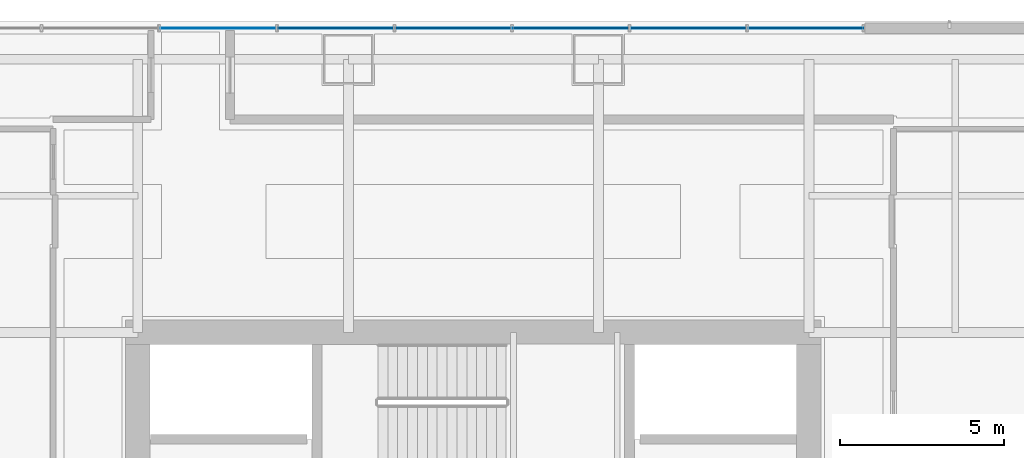
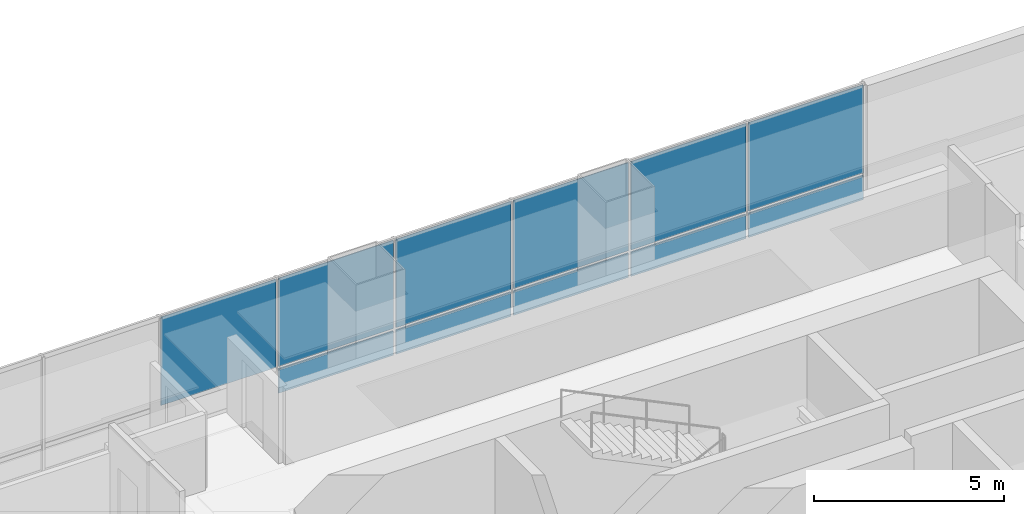
# One storey, part 26 of 45: 11 plates, 1 element without a shape of its own.
"""IFC4 building model written with IfcOpenShell, lengths in metres."""

from ifc_helpers import new_model, si_unit, direction, frame, origin, origin_2d, place, context, subcontext, project, spatial, rectangle, extrude, material, layer, layer_set, type_object, element, aggregate, save


model = new_model("IFC4")

# Units and contexts
model_context = context("Model", 3, precision=1e-05, world=origin(), true_north=direction((0.0, 1.0)))
body_context = subcontext(model_context, "Body", "Model", "MODEL_VIEW")
ifc_project = project(units=[si_unit("LENGTHUNIT", "METRE"), si_unit("AREAUNIT", "SQUARE_METRE"), si_unit("VOLUMEUNIT", "CUBIC_METRE"), si_unit("PLANEANGLEUNIT", "RADIAN"), si_unit("MASSUNIT", "GRAM", prefix="KILO")], contexts=[model_context])

# Site, building, storey
site_placement = place(None, origin())
site = spatial("IfcSite", under=ifc_project, at=site_placement, CompositionType="ELEMENT")
building_placement = place(site_placement, origin())
building = spatial("IfcBuilding", under=site, at=building_placement, Name="Punatoya Terracotta Tower", CompositionType="ELEMENT")
storey_placement = place(building_placement, frame((0.0, 0.0, 56.550048828125)))
storey = spatial("IfcBuildingStorey", under=building, at=storey_placement, Name="L12", CompositionType="ELEMENT", Elevation=56.550048828125)

# Curtain wall, plates
ifc_material_1 = material(Name="Aluminium 6063-T6 + Double Low-E Glass", Category="aluminium")
curtain_wall_type = type_object("IfcCurtainWallType", Name="CW-M1", PredefinedType="NOTDEFINED", material=ifc_material_1)
curtain_wall_placement = place(storey_placement, origin())
curtain_wall = element("IfcCurtainWall", 1, at=curtain_wall_placement, inside=storey, type_object=curtain_wall_type, Name="L12 Curtain Wall CW-L12-N09-1", PredefinedType="NOTDEFINED")
ifc_material_2 = material(Name="Double Low-E Clear Vision Glass", Category="glass")
ifc_layer_1 = layer(ifc_material_2, 0.028076171875)
ifc_layer_set_1 = layer_set([ifc_layer_1], Name="Double Low-E Clear Vision Glass")
plate_type_1 = type_object("IfcPlateType", Name="PLT-GLZ-28", PredefinedType="CURTAIN_PANEL", material=ifc_layer_set_1)
plate_1_placement = place(storey_placement, frame((10.112548828125, 18.449951171875, 0.89013671875), z_axis=(0.0, 0.0, 1.0), x_axis=(-1.0, 0.0, 0.0)))
plate_1 = element("IfcPlate", 2, at=plate_1_placement, type_object=plate_type_1, Name="CW-L12-N09-1 Vision Glass Panel 1", PredefinedType="CURTAIN_PANEL", context=body_context, shape_type="SweptSolid", body=[
    extrude(rectangle(XDim=3.489990234375, YDim=0.028076171875, at=origin_2d()), origin(), (0.0, 0.0, 1.0), 2.840087890625),
])
plate_2_placement = place(storey_placement, frame((6.53759765625, 18.449951171875, 0.89013671875), z_axis=(0.0, 0.0, 1.0), x_axis=(-1.0, 0.0, 0.0)))
plate_2 = element("IfcPlate", 3, at=plate_2_placement, type_object=plate_type_1, Name="CW-L12-N09-1 Vision Glass Panel 2", PredefinedType="CURTAIN_PANEL", context=body_context, shape_type="SweptSolid", body=[
    extrude(rectangle(XDim=3.489990234375, YDim=0.028076171875, at=origin_2d()), origin(), (0.0, 0.0, 1.0), 2.840087890625),
])
plate_3_placement = place(storey_placement, frame((2.96240234375, 18.449951171875, 0.89013671875), z_axis=(0.0, 0.0, 1.0), x_axis=(-1.0, 0.0, 0.0)))
plate_3 = element("IfcPlate", 4, at=plate_3_placement, type_object=plate_type_1, Name="CW-L12-N09-1 Vision Glass Panel 3", PredefinedType="CURTAIN_PANEL", context=body_context, shape_type="SweptSolid", body=[
    extrude(rectangle(XDim=3.489990234375, YDim=0.028076171875, at=origin_2d()), origin(), (0.0, 0.0, 1.0), 2.840087890625),
])
plate_4_placement = place(storey_placement, frame((-0.612548828125, 18.449951171875, 0.89013671875), z_axis=(0.0, 0.0, 1.0), x_axis=(-1.0, 0.0, 0.0)))
plate_4 = element("IfcPlate", 5, at=plate_4_placement, type_object=plate_type_1, Name="CW-L12-N09-1 Vision Glass Panel 4", PredefinedType="CURTAIN_PANEL", context=body_context, shape_type="SweptSolid", body=[
    extrude(rectangle(XDim=3.489990234375, YDim=0.028076171875, at=origin_2d()), origin(), (0.0, 0.0, 1.0), 2.840087890625),
])
plate_5_placement = place(storey_placement, frame((-4.1875, 18.449951171875, 0.89013671875), z_axis=(0.0, 0.0, 1.0), x_axis=(-1.0, 0.0, 0.0)))
plate_5 = element("IfcPlate", 6, at=plate_5_placement, type_object=plate_type_1, Name="CW-L12-N09-1 Vision Glass Panel 5", PredefinedType="CURTAIN_PANEL", context=body_context, shape_type="SweptSolid", body=[
    extrude(rectangle(XDim=3.489990234375, YDim=0.028076171875, at=origin_2d()), origin(), (0.0, 0.0, 1.0), 2.840087890625),
])
plate_6_placement = place(storey_placement, frame((-7.762451171875, 18.449951171875, 0.89013671875), z_axis=(0.0, 0.0, 1.0), x_axis=(-1.0, 0.0, 0.0)))
plate_6 = element("IfcPlate", 7, at=plate_6_placement, type_object=plate_type_1, Name="CW-L12-N09-1 Vision Glass Panel 6", PredefinedType="CURTAIN_PANEL", context=body_context, shape_type="SweptSolid", body=[
    extrude(rectangle(XDim=3.489990234375, YDim=0.028076171875, at=origin_2d()), origin(), (0.0, 0.0, 1.0), 2.840087890625),
])
ifc_material_3 = material(Name="Insulated Terracotta-Backed Spandrel Panel", Category="masonry")
ifc_layer_2 = layer(ifc_material_3, 0.044921875)
ifc_layer_set_2 = layer_set([ifc_layer_2], Name="Insulated Terracotta-Backed Spandrel Panel")
plate_type_2 = type_object("IfcPlateType", Name="PLT-SPN-45", PredefinedType="CURTAIN_PANEL", material=ifc_layer_set_2)
plate_7_placement = place(storey_placement, frame((10.112548828125, 18.449951171875, 0.0400390625), z_axis=(0.0, 0.0, 1.0), x_axis=(-1.0, 0.0, 0.0)))
plate_7 = element("IfcPlate", 8, at=plate_7_placement, type_object=plate_type_2, Name="CW-L12-N09-1 Terracotta Spandrel Panel 1", PredefinedType="CURTAIN_PANEL", context=body_context, shape_type="SweptSolid", body=[
    extrude(rectangle(XDim=3.489990234375, YDim=0.044921875, at=origin_2d()), origin(), (0.0, 0.0, 1.0), 0.77490234375),
])
plate_8_placement = place(storey_placement, frame((6.53759765625, 18.449951171875, 0.0400390625), z_axis=(0.0, 0.0, 1.0), x_axis=(-1.0, 0.0, 0.0)))
plate_8 = element("IfcPlate", 9, at=plate_8_placement, type_object=plate_type_2, Name="CW-L12-N09-1 Terracotta Spandrel Panel 2", PredefinedType="CURTAIN_PANEL", context=body_context, shape_type="SweptSolid", body=[
    extrude(rectangle(XDim=3.489990234375, YDim=0.044921875, at=origin_2d()), origin(), (0.0, 0.0, 1.0), 0.77490234375),
])
plate_9_placement = place(storey_placement, frame((2.96240234375, 18.449951171875, 0.0400390625), z_axis=(0.0, 0.0, 1.0), x_axis=(-1.0, 0.0, 0.0)))
plate_9 = element("IfcPlate", 10, at=plate_9_placement, type_object=plate_type_2, Name="CW-L12-N09-1 Terracotta Spandrel Panel 3", PredefinedType="CURTAIN_PANEL", context=body_context, shape_type="SweptSolid", body=[
    extrude(rectangle(XDim=3.489990234375, YDim=0.044921875, at=origin_2d()), origin(), (0.0, 0.0, 1.0), 0.77490234375),
])
plate_10_placement = place(storey_placement, frame((-0.612548828125, 18.449951171875, 0.0400390625), z_axis=(0.0, 0.0, 1.0), x_axis=(-1.0, 0.0, 0.0)))
plate_10 = element("IfcPlate", 11, at=plate_10_placement, type_object=plate_type_2, Name="CW-L12-N09-1 Terracotta Spandrel Panel 4", PredefinedType="CURTAIN_PANEL", context=body_context, shape_type="SweptSolid", body=[
    extrude(rectangle(XDim=3.489990234375, YDim=0.044921875, at=origin_2d()), origin(), (0.0, 0.0, 1.0), 0.77490234375),
])
plate_11_placement = place(storey_placement, frame((-4.1875, 18.449951171875, 0.0400390625), z_axis=(0.0, 0.0, 1.0), x_axis=(-1.0, 0.0, 0.0)))
plate_11 = element("IfcPlate", 12, at=plate_11_placement, type_object=plate_type_2, Name="CW-L12-N09-1 Terracotta Spandrel Panel 5", PredefinedType="CURTAIN_PANEL", context=body_context, shape_type="SweptSolid", body=[
    extrude(rectangle(XDim=3.489990234375, YDim=0.044921875, at=origin_2d()), origin(), (0.0, 0.0, 1.0), 0.77490234375),
])
aggregate(curtain_wall, [plate_7, plate_1, plate_8, plate_2, plate_9, plate_3, plate_10, plate_4, plate_11, plate_5, plate_6])

save(model, "model.ifc")
